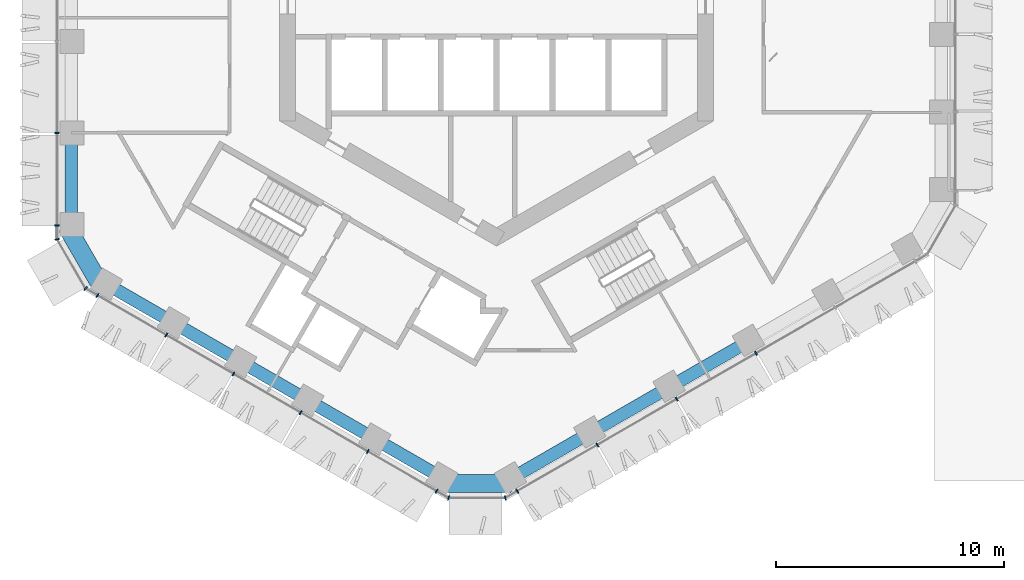
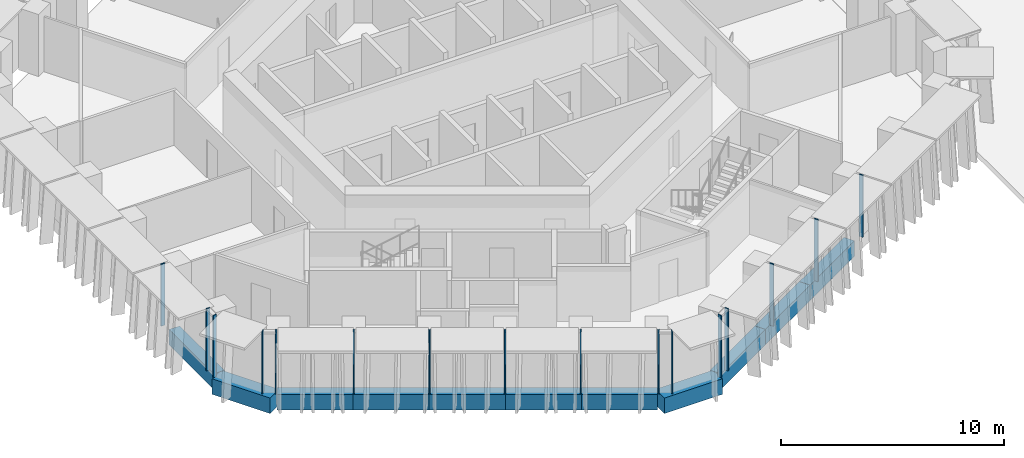
# One storey, part 2 of 25: 16 members, 11 beams, 5 elements without a shape of their own.
"""IFC4 building model written with IfcOpenShell, lengths in metres."""

from ifc_helpers import new_model, si_unit, direction, frame, origin, origin_2d, place, context, subcontext, project, spatial, rectangle, extrude, material, layer, layer_set, material_profile, profile_set, type_object, element, aggregate, save


model = new_model("IFC4")

# Units and contexts
model_context = context("Model", 3, precision=1e-05, world=origin(), true_north=direction((0.0, 1.0)))
body_context = subcontext(model_context, "Body", "Model", "MODEL_VIEW")
ifc_project = project(units=[si_unit("LENGTHUNIT", "METRE"), si_unit("AREAUNIT", "SQUARE_METRE"), si_unit("VOLUMEUNIT", "CUBIC_METRE"), si_unit("PLANEANGLEUNIT", "RADIAN"), si_unit("MASSUNIT", "GRAM", prefix="KILO")], contexts=[model_context])

# Site, building, storey
site_placement = place(None, origin())
site = spatial("IfcSite", under=ifc_project, at=site_placement, CompositionType="ELEMENT")
building_placement = place(site_placement, origin())
building = spatial("IfcBuilding", under=site, at=building_placement, Name="Ayvan Gate Tower", CompositionType="ELEMENT")
storey_placement = place(building_placement, frame((0.0, 0.0, 132.5)))
storey = spatial("IfcBuildingStorey", under=building, at=storey_placement, Name="L35", CompositionType="ELEMENT", Elevation=132.5)

# Beams
ifc_material_1 = material(Name="Concrete C40/50", Category="concrete")
ifc_material_profile_1 = material_profile(ifc_material_1, rectangle(XDim=0.800048828125, YDim=0.85009765625, at=origin_2d()), Name="RC 800x850")
ifc_profile_set_1 = profile_set([ifc_material_profile_1], Name="Concrete C40/50")
beam_type_1 = type_object("IfcBeamType", Name="Corner spandrel beam RC 800x850 C40/50", PredefinedType="BEAM", material=ifc_profile_set_1)
for number, where, z_axis, x_axis, name in (
    (1, (-18.827392578125, -10.117919921875, -0.77490234375), (0.499990139034, -0.866031096941, 0.0), (0.866031096941, 0.499990139034, 0.0), "SB-L35-24"),
    (2, (-2.3486328125, -21.364013671875, -0.77490234375), (1.0, 0.0, 0.0), (0.0, 1.0, 0.0), "SB-L35-30"),
):
    element("IfcBeam", number, at=place(storey_placement, frame(where, z_axis=z_axis, x_axis=x_axis)), inside=storey, type_object=beam_type_1, Name=name, PredefinedType="BEAM", context=body_context, shape_type="SweptSolid", body=[
        extrude(rectangle(XDim=0.800048828125, YDim=0.85009765625, at=origin_2d()), origin(), (0.0, 0.0, 1.0), 3.0),
    ])
ifc_material_profile_2 = material_profile(ifc_material_1, rectangle(XDim=0.550048828125, YDim=0.85009765625, at=origin_2d()), Name="RC 550x850")
ifc_profile_set_2 = profile_set([ifc_material_profile_2], Name="Concrete C40/50")
beam_type_2 = type_object("IfcBeamType", Name="Spandrel beam RC 550x850 C40/50", PredefinedType="BEAM", material=ifc_profile_set_2)
beam_1_placement = place(storey_placement, frame((-18.63671875, -6.0048828125, -0.77490234375), z_axis=(0.0, -1.0, 0.0), x_axis=(1.0, 0.0, 0.0)))
element("IfcBeam", 3, at=beam_1_placement, inside=storey, type_object=beam_type_2, Name="SB-L35-23", PredefinedType="BEAM", context=body_context, shape_type="SweptSolid", body=[
    extrude(rectangle(XDim=0.550048828125, YDim=0.85009765625, at=origin_2d()), origin(), (0.0, 0.0, 1.0), 4.003173828125),
])
beam_2_placement = place(storey_placement, frame((-17.13671875, -12.60595703125, -0.77490234375), z_axis=(0.865995102393, -0.500052479878, 0.0), x_axis=(0.500052479878, 0.865995102393, 0.0)))
element("IfcBeam", 4, at=beam_2_placement, inside=storey, type_object=beam_type_2, Name="SB-L35-25", PredefinedType="BEAM", context=body_context, shape_type="SweptSolid", body=[
    extrude(rectangle(XDim=0.550048828125, YDim=0.85009765625, at=origin_2d()), origin(), (0.0, 0.0, 1.0), 3.415283203125),
])
beam_3_placement = place(storey_placement, frame((-14.17919921875, -14.313720703125, -0.77490234375), z_axis=(0.866026058841, -0.499998865407, 0.0), x_axis=(0.499998865407, 0.866026058841, 0.0)))
element("IfcBeam", 5, at=beam_3_placement, inside=storey, type_object=beam_type_2, Name="SB-L35-26", PredefinedType="BEAM", context=body_context, shape_type="SweptSolid", body=[
    extrude(rectangle(XDim=0.550048828125, YDim=0.85009765625, at=origin_2d()), origin(), (0.0, 0.0, 1.0), 3.4150390625),
])
beam_4_placement = place(storey_placement, frame((-11.2216796875, -16.021240234375, -0.77490234375), z_axis=(0.866043929522, -0.499967911108, 0.0), x_axis=(0.499967911108, 0.866043929522, 0.0)))
element("IfcBeam", 6, at=beam_4_placement, inside=storey, type_object=beam_type_2, Name="SB-L35-27", PredefinedType="BEAM", context=body_context, shape_type="SweptSolid", body=[
    extrude(rectangle(XDim=0.550048828125, YDim=0.85009765625, at=origin_2d()), origin(), (0.0, 0.0, 1.0), 3.415283203125),
])
beam_5_placement = place(storey_placement, frame((-8.263916015625, -17.728759765625, -0.77490234375), z_axis=(0.866026058841, -0.499998865407, 0.0), x_axis=(0.499998865407, 0.866026058841, 0.0)))
element("IfcBeam", 7, at=beam_5_placement, inside=storey, type_object=beam_type_2, Name="SB-L35-28", PredefinedType="BEAM", context=body_context, shape_type="SweptSolid", body=[
    extrude(rectangle(XDim=0.550048828125, YDim=0.85009765625, at=origin_2d()), origin(), (0.0, 0.0, 1.0), 3.4150390625),
])
beam_6_placement = place(storey_placement, frame((-5.306396484375, -19.436279296875, -0.77490234375), z_axis=(0.866012976267, -0.500021524473, 0.0), x_axis=(0.500021524473, 0.866012976267, 0.0)))
element("IfcBeam", 8, at=beam_6_placement, inside=storey, type_object=beam_type_2, Name="SB-L35-29", PredefinedType="BEAM", context=body_context, shape_type="SweptSolid", body=[
    extrude(rectangle(XDim=0.550048828125, YDim=0.85009765625, at=origin_2d()), origin(), (0.0, 0.0, 1.0), 3.415283203125),
])
for number, where, z_axis, x_axis, name in (
    (9, (0.6513671875, -21.14404296875, -0.77490234375), (0.866008867249, 0.500028641026, 0.0), (-0.500028641026, 0.866008867249, 0.0), "SB-L35-31"),
    (10, (4.1181640625, -19.142333984375, -0.77490234375), (0.866035275801, 0.499982900776, 0.0), (-0.499982900776, 0.866035275801, 0.0), "SB-L35-32"),
    (11, (7.5849609375, -17.140869140625, -0.77490234375), (0.866008867249, 0.500028641026, 0.0), (-0.500028641026, 0.866008867249, 0.0), "SB-L35-33"),
):
    element("IfcBeam", number, at=place(storey_placement, frame(where, z_axis=z_axis, x_axis=x_axis)), inside=storey, type_object=beam_type_2, Name=name, PredefinedType="BEAM", context=body_context, shape_type="SweptSolid", body=[
        extrude(rectangle(XDim=0.550048828125, YDim=0.85009765625, at=origin_2d()), origin(), (0.0, 0.0, 1.0), 4.003173828125),
    ])

# Curtain wall, members
ifc_material_2 = material(Name="Bronze anodised aluminium", Category="aluminium")
ifc_layer_1 = layer(ifc_material_2, 0.199951171875)
ifc_layer_set_1 = layer_set([ifc_layer_1], Name="Bronze anodised aluminium")
curtain_wall_type_1 = type_object("IfcCurtainWallType", Name="Stick curtain wall CW-1", PredefinedType="NOTDEFINED", material=ifc_layer_set_1)
curtain_wall_1_placement = place(storey_placement, origin())
curtain_wall_1 = element("IfcCurtainWall", 12, at=curtain_wall_1_placement, inside=storey, type_object=curtain_wall_type_1, Name="Stick curtain wall CW-1 L35", PredefinedType="NOTDEFINED")
ifc_material_profile_3 = material_profile(ifc_material_2, rectangle(XDim=0.199951171875, YDim=0.06005859375, at=origin_2d()), Name="Stick curtain wall CW-1 mullion 200 x 60")
ifc_profile_set_3 = profile_set([ifc_material_profile_3], Name="Bronze anodised aluminium")
member_type_1 = type_object("IfcMemberType", Name="Stick curtain wall CW-1 mullion 200 x 60", PredefinedType="MULLION", material=ifc_profile_set_3)
member_1_placement = place(storey_placement, frame((-19.248291015625, -6.02001953125, 0.0), z_axis=(0.0, 0.0, 1.0), x_axis=(-1.0, 0.0, 0.0)))
member_1 = element("IfcMember", 13, at=member_1_placement, type_object=member_type_1, Name="CW-1 mullion 5", PredefinedType="MULLION", context=body_context, shape_type="SweptSolid", body=[
    extrude(rectangle(XDim=0.199951171875, YDim=0.06005859375, at=origin_2d()), origin(), (0.0, 0.0, 1.0), 3.39990234375),
])
member_2_placement = place(storey_placement, frame((-19.248291015625, -10.068115234375, 0.0), z_axis=(0.0, 0.0, 1.0), x_axis=(-1.0, 0.0, 0.0)))
member_2 = element("IfcMember", 14, at=member_2_placement, type_object=member_type_1, Name="CW-1 mullion 6", PredefinedType="MULLION", context=body_context, shape_type="SweptSolid", body=[
    extrude(rectangle(XDim=0.199951171875, YDim=0.06005859375, at=origin_2d()), origin(), (0.0, 0.0, 1.0), 3.39990234375),
])
aggregate(curtain_wall_1, [member_1, member_2])

curtain_wall_2_placement = place(storey_placement, origin())
curtain_wall_2 = element("IfcCurtainWall", 15, at=curtain_wall_2_placement, inside=storey, type_object=curtain_wall_type_1, Name="Stick curtain wall CW-1 L35", PredefinedType="NOTDEFINED")
member_3_placement = place(storey_placement, frame((-17.48095703125, -13.12890625, 0.0), z_axis=(0.0, 0.0, 1.0), x_axis=(-0.5, -0.866025403784, 0.0)))
member_3 = element("IfcMember", 16, at=member_3_placement, type_object=member_type_1, Name="CW-1 mullion 1", PredefinedType="MULLION", context=body_context, shape_type="SweptSolid", body=[
    extrude(rectangle(XDim=0.199951171875, YDim=0.06005859375, at=origin_2d()), origin(), (0.0, 0.0, 1.0), 3.39990234375),
])
member_4_placement = place(storey_placement, frame((-14.465576171875, -14.869873046875, 0.0), z_axis=(0.0, 0.0, 1.0), x_axis=(-0.5, -0.866025403784, 0.0)))
member_4 = element("IfcMember", 17, at=member_4_placement, type_object=member_type_1, Name="CW-1 mullion 2", PredefinedType="MULLION", context=body_context, shape_type="SweptSolid", body=[
    extrude(rectangle(XDim=0.199951171875, YDim=0.06005859375, at=origin_2d()), origin(), (0.0, 0.0, 1.0), 3.39990234375),
])
member_5_placement = place(storey_placement, frame((-11.525390625, -16.5673828125, 0.0), z_axis=(0.0, 0.0, 1.0), x_axis=(-0.5, -0.866025403784, 0.0)))
member_5 = element("IfcMember", 18, at=member_5_placement, type_object=member_type_1, Name="CW-1 mullion 3", PredefinedType="MULLION", context=body_context, shape_type="SweptSolid", body=[
    extrude(rectangle(XDim=0.199951171875, YDim=0.06005859375, at=origin_2d()), origin(), (0.0, 0.0, 1.0), 3.39990234375),
])
member_6_placement = place(storey_placement, frame((-8.585205078125, -18.264892578125, 0.0), z_axis=(0.0, 0.0, 1.0), x_axis=(-0.5, -0.866025403784, 0.0)))
member_6 = element("IfcMember", 19, at=member_6_placement, type_object=member_type_1, Name="CW-1 mullion 4", PredefinedType="MULLION", context=body_context, shape_type="SweptSolid", body=[
    extrude(rectangle(XDim=0.199951171875, YDim=0.06005859375, at=origin_2d()), origin(), (0.0, 0.0, 1.0), 3.39990234375),
])
member_7_placement = place(storey_placement, frame((-5.64501953125, -19.96240234375, 0.0), z_axis=(0.0, 0.0, 1.0), x_axis=(-0.5, -0.866025403784, 0.0)))
member_7 = element("IfcMember", 20, at=member_7_placement, type_object=member_type_1, Name="CW-1 mullion 5", PredefinedType="MULLION", context=body_context, shape_type="SweptSolid", body=[
    extrude(rectangle(XDim=0.199951171875, YDim=0.06005859375, at=origin_2d()), origin(), (0.0, 0.0, 1.0), 3.39990234375),
])
member_8_placement = place(storey_placement, frame((-2.62939453125, -21.70361328125, 0.0), z_axis=(0.0, 0.0, 1.0), x_axis=(-0.5, -0.866025403784, 0.0)))
member_8 = element("IfcMember", 21, at=member_8_placement, type_object=member_type_1, Name="CW-1 mullion 6", PredefinedType="MULLION", context=body_context, shape_type="SweptSolid", body=[
    extrude(rectangle(XDim=0.199951171875, YDim=0.06005859375, at=origin_2d()), origin(), (0.0, 0.0, 1.0), 3.39990234375),
])
aggregate(curtain_wall_2, [member_3, member_4, member_5, member_6, member_7, member_8])

curtain_wall_3_placement = place(storey_placement, origin())
curtain_wall_3 = element("IfcCurtainWall", 22, at=curtain_wall_3_placement, inside=storey, type_object=curtain_wall_type_1, Name="Stick curtain wall CW-1 L35", PredefinedType="NOTDEFINED")
member_9_placement = place(storey_placement, frame((0.905029296875, -21.70361328125, 0.0), z_axis=(0.0, 0.0, 1.0), x_axis=(0.5, -0.866025403784, 0.0)))
member_9 = element("IfcMember", 23, at=member_9_placement, type_object=member_type_1, Name="CW-1 mullion 1", PredefinedType="MULLION", context=body_context, shape_type="SweptSolid", body=[
    extrude(rectangle(XDim=0.199951171875, YDim=0.06005859375, at=origin_2d()), origin(), (0.0, 0.0, 1.0), 3.39990234375),
])
member_10_placement = place(storey_placement, frame((4.41064453125, -19.679443359375, 0.0), z_axis=(0.0, 0.0, 1.0), x_axis=(0.5, -0.866025403784, 0.0)))
member_10 = element("IfcMember", 24, at=member_10_placement, type_object=member_type_1, Name="CW-1 mullion 2", PredefinedType="MULLION", context=body_context, shape_type="SweptSolid", body=[
    extrude(rectangle(XDim=0.199951171875, YDim=0.06005859375, at=origin_2d()), origin(), (0.0, 0.0, 1.0), 3.39990234375),
])
member_11_placement = place(storey_placement, frame((7.885986328125, -17.673095703125, 0.0), z_axis=(0.0, 0.0, 1.0), x_axis=(0.5, -0.866025403784, 0.0)))
member_11 = element("IfcMember", 25, at=member_11_placement, type_object=member_type_1, Name="CW-1 mullion 3", PredefinedType="MULLION", context=body_context, shape_type="SweptSolid", body=[
    extrude(rectangle(XDim=0.199951171875, YDim=0.06005859375, at=origin_2d()), origin(), (0.0, 0.0, 1.0), 3.39990234375),
])
member_12_placement = place(storey_placement, frame((11.3623046875, -15.666015625, 0.0), z_axis=(0.0, 0.0, 1.0), x_axis=(0.5, -0.866025403784, 0.0)))
member_12 = element("IfcMember", 26, at=member_12_placement, type_object=member_type_1, Name="CW-1 mullion 4", PredefinedType="MULLION", context=body_context, shape_type="SweptSolid", body=[
    extrude(rectangle(XDim=0.199951171875, YDim=0.06005859375, at=origin_2d()), origin(), (0.0, 0.0, 1.0), 3.39990234375),
])
aggregate(curtain_wall_3, [member_9, member_10, member_11, member_12])

ifc_layer_2 = layer(ifc_material_2, 0.199951171875)
ifc_layer_set_2 = layer_set([ifc_layer_2], Name="Bronze anodised aluminium")
curtain_wall_type_2 = type_object("IfcCurtainWallType", Name="Stick curtain wall CW-6", PredefinedType="NOTDEFINED", material=ifc_layer_set_2)
curtain_wall_4_placement = place(storey_placement, origin())
curtain_wall_4 = element("IfcCurtainWall", 27, at=curtain_wall_4_placement, inside=storey, type_object=curtain_wall_type_2, Name="Stick curtain wall CW-6 L35", PredefinedType="NOTDEFINED")
ifc_material_profile_4 = material_profile(ifc_material_2, rectangle(XDim=0.199951171875, YDim=0.050048828125, at=origin_2d()), Name="Stick curtain wall CW-6 mullion 200 x 50")
ifc_profile_set_4 = profile_set([ifc_material_profile_4], Name="Bronze anodised aluminium")
member_type_2 = type_object("IfcMemberType", Name="Stick curtain wall CW-6 mullion 200 x 50", PredefinedType="MULLION", material=ifc_profile_set_4)
member_13_placement = place(storey_placement, frame((-19.248291015625, -10.673095703125, 0.0), z_axis=(0.0, 0.0, 1.0), x_axis=(-0.965925826289, -0.258819045103, 0.0)))
member_13 = element("IfcMember", 28, at=member_13_placement, type_object=member_type_2, Name="CW-6 mullion 2", PredefinedType="MULLION", context=body_context, shape_type="SweptSolid", body=[
    extrude(rectangle(XDim=0.199951171875, YDim=0.050048828125, at=origin_2d()), origin(), (0.0, 0.0, 1.0), 3.39990234375),
])
member_14_placement = place(storey_placement, frame((-18.005126953125, -12.826416015625, 0.0), z_axis=(0.0, 0.0, 1.0), x_axis=(-0.707106781187, -0.707106781187, 0.0)))
member_14 = element("IfcMember", 29, at=member_14_placement, type_object=member_type_2, Name="CW-6 mullion 3", PredefinedType="MULLION", context=body_context, shape_type="SweptSolid", body=[
    extrude(rectangle(XDim=0.199951171875, YDim=0.050048828125, at=origin_2d()), origin(), (0.0, 0.0, 1.0), 3.39990234375),
])
aggregate(curtain_wall_4, [member_13, member_14])

curtain_wall_5_placement = place(storey_placement, origin())
curtain_wall_5 = element("IfcCurtainWall", 30, at=curtain_wall_5_placement, inside=storey, type_object=curtain_wall_type_2, Name="Stick curtain wall CW-6 L35", PredefinedType="NOTDEFINED")
member_15_placement = place(storey_placement, frame((-2.10546875, -22.006103515625, 0.0), z_axis=(0.0, 0.0, 1.0), x_axis=(-0.258819045103, -0.965925826289, 0.0)))
member_15 = element("IfcMember", 31, at=member_15_placement, type_object=member_type_2, Name="CW-6 mullion 2", PredefinedType="MULLION", context=body_context, shape_type="SweptSolid", body=[
    extrude(rectangle(XDim=0.199951171875, YDim=0.050048828125, at=origin_2d()), origin(), (0.0, 0.0, 1.0), 3.39990234375),
])
member_16_placement = place(storey_placement, frame((0.381103515625, -22.006103515625, 0.0), z_axis=(0.0, 0.0, 1.0), x_axis=(0.258819045103, -0.965925826289, 0.0)))
member_16 = element("IfcMember", 32, at=member_16_placement, type_object=member_type_2, Name="CW-6 mullion 3", PredefinedType="MULLION", context=body_context, shape_type="SweptSolid", body=[
    extrude(rectangle(XDim=0.199951171875, YDim=0.050048828125, at=origin_2d()), origin(), (0.0, 0.0, 1.0), 3.39990234375),
])
aggregate(curtain_wall_5, [member_15, member_16])

save(model, "model.ifc")
